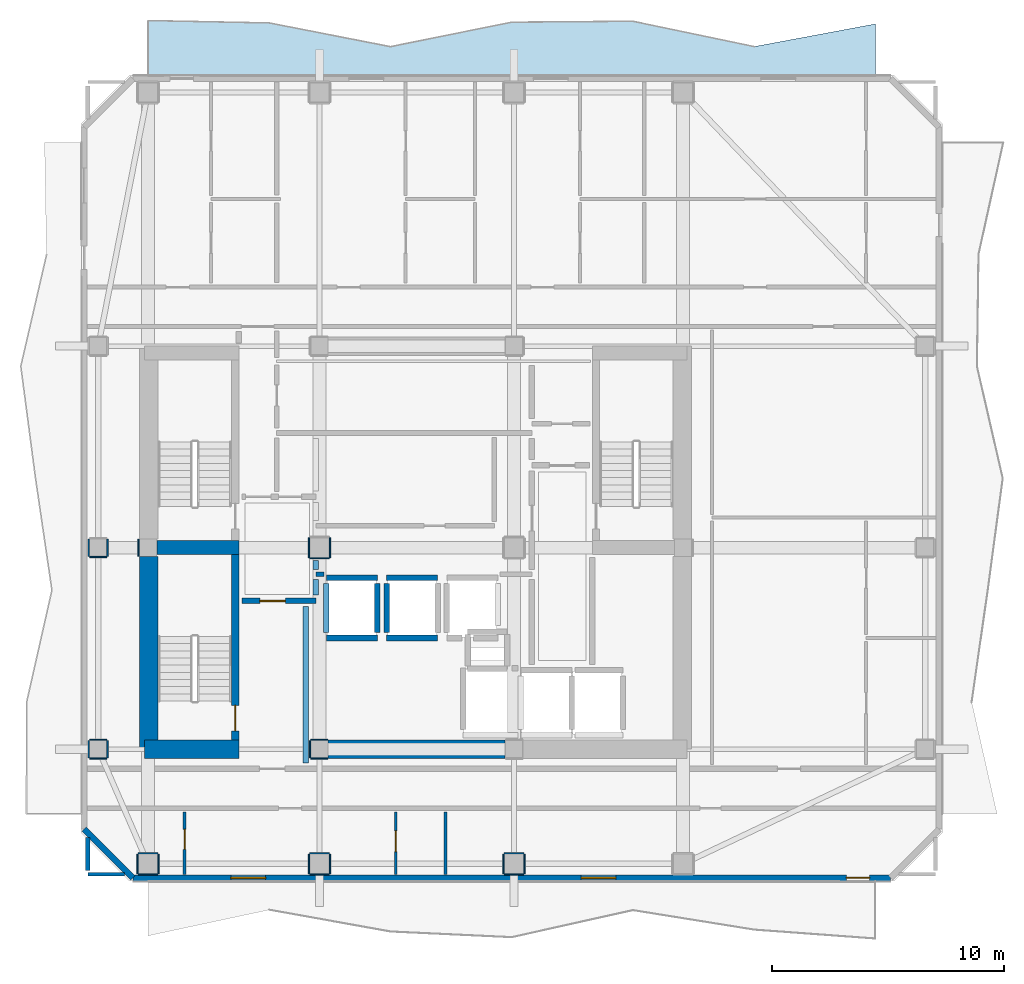
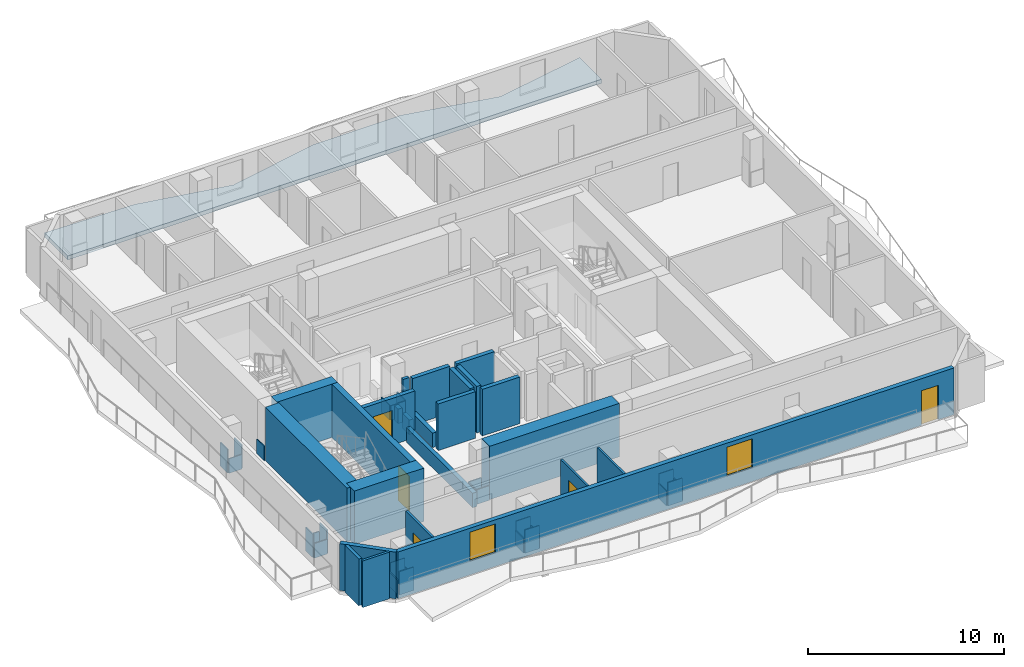
# One storey, part 2 of 9: 50 walls, 5 doors, 2 windows, 1 slab, 7 openings.
"""IFC4 building model written with IfcOpenShell, lengths in metres."""

from ifc_helpers import new_model, si_unit, direction, frame, frame_2d, origin, place, context, subcontext, project, spatial, polyline, rectangle, outline, extrude, material, layer, layer_set, type_object, element, fill, save


model = new_model("IFC4")

# Units and contexts
model_context = context("Model", 3, precision=1e-05, world=origin(), true_north=direction((0.0, 1.0)))
body_context = subcontext(model_context, "Body", "Model", "MODEL_VIEW")
ifc_project = project(units=[si_unit("LENGTHUNIT", "METRE"), si_unit("AREAUNIT", "SQUARE_METRE"), si_unit("VOLUMEUNIT", "CUBIC_METRE"), si_unit("PLANEANGLEUNIT", "RADIAN"), si_unit("MASSUNIT", "GRAM", prefix="KILO")], contexts=[model_context])

# Site, building, storey
site_placement = place(None, origin())
site = spatial("IfcSite", under=ifc_project, at=site_placement, CompositionType="ELEMENT")
building_placement = place(site_placement, origin())
building = spatial("IfcBuilding", under=site, at=building_placement, Name="Solanera Arch Residences", CompositionType="ELEMENT")
storey_placement = place(building_placement, frame((0.0, 0.0, 247.8798828125)))
storey = spatial("IfcBuildingStorey", under=building, at=storey_placement, Name="L72", CompositionType="ELEMENT", Elevation=247.8798828125)

# Slab
ifc_material_1 = material(Name="Concrete C40/50 (f'c = 45 MPa)", Category="concrete")
ifc_layer_1 = layer(ifc_material_1, 0.25)
ifc_layer_set_1 = layer_set([ifc_layer_1], Name="Concrete C40/50 (f'c = 45 MPa)")
slab_type = type_object("IfcSlabType", Name="Balcony Slab 250", PredefinedType="FLOOR", material=ifc_layer_set_1)
slab_placement = place(storey_placement, frame((0.0, 0.0, -0.25)))
element("IfcSlab", 1, at=slab_placement, inside=storey, type_object=slab_type, Name="L72 N Rippling Brise-Soleil Balcony Slab", PredefinedType="FLOOR", context=body_context, shape_type="SweptSolid", body=[
    extrude(outline(polyline([(44.800048828125, 53.31201171875), (39.56689453125, 52.3330078125), (34.3330078125, 53.427001953125), (29.10009765625, 53.386962890625), (23.866943359375, 52.330078125), (18.633056640625, 53.35400390625), (13.39990234375, 53.45703125), (13.39990234375, 51.080078125), (44.800048828125, 51.080078125), (44.800048828125, 53.31201171875)])), origin(), (0.0, 0.0, 1.0), 0.25),
])

# Walls
ifc_material_2 = material(Name="Fire-Rated Gypsum Stud Partition", Category="gypsum")
ifc_layer_2 = layer(ifc_material_2, 0.06005859375)
ifc_layer_set_2 = layer_set([ifc_layer_2], Name="Fire-Rated Gypsum Stud Partition")
wall_type_1 = type_object("IfcWallType", Name="Column Acoustic Furring Wall 60", PredefinedType="PARTITIONING", material=ifc_layer_set_2)
for number, where, z_axis, x_axis, name in (
    (2, (20.425048828125, 21.593017578125, 0.0), (0.0, 0.0, 1.0), (1.0, 0.0, 0.0), "L72 Column Furring 1S"),
    (3, (20.425048828125, 22.406982421875, 0.0), (0.0, 0.0, 1.0), (1.0, 0.0, 0.0), "L72 Column Furring 1N"),
):
    element("IfcWall", number, at=place(storey_placement, frame(where, z_axis=z_axis, x_axis=x_axis)), inside=storey, type_object=wall_type_1, Name=name, PredefinedType="PARTITIONING", context=body_context, shape_type="SweptSolid", body=[
        extrude(rectangle(XDim=0.741943359375, YDim=0.06005859375, at=frame_2d((0.37109375, 0.0))), origin(), (0.0, 0.0, 1.0), 0.905029296875),
    ])
for number, where, z_axis, x_axis, name in (
    (4, (20.39306640625, 21.625, 0.0), (0.0, 0.0, 1.0), (0.0, 1.0, 0.0), "L72 Column Furring 1W"),
    (5, (12.992919921875, 30.324951171875, 0.0), (0.0, 0.0, 1.0), (0.0, 1.0, 0.0), "L72 Column Furring 5W"),
):
    element("IfcWall", number, at=place(storey_placement, frame(where, z_axis=z_axis, x_axis=x_axis)), inside=storey, type_object=wall_type_1, Name=name, PredefinedType="PARTITIONING", context=body_context, shape_type="SweptSolid", body=[
        extrude(rectangle(XDim=0.75, YDim=0.06005859375, at=frame_2d((0.375, 0.0))), origin(), (0.0, 0.0, 1.0), 0.905029296875),
    ])
for number, where, z_axis, x_axis, name in (
    (6, (20.375, 30.242919921875, 0.0), (0.0, 0.0, 1.0), (1.0, 0.0, 0.0), "L72 Column Furring 7S"),
    (7, (20.343017578125, 30.27490234375, 0.0), (0.0, 0.0, 1.0), (0.0, 1.0, 0.0), "L72 Column Furring 7W"),
    (8, (21.257080078125, 30.27490234375, 0.0), (0.0, 0.0, 1.0), (0.0, 1.0, 0.0), "L72 Column Furring 7E"),
):
    element("IfcWall", number, at=place(storey_placement, frame(where, z_axis=z_axis, x_axis=x_axis)), inside=storey, type_object=wall_type_1, Name=name, PredefinedType="PARTITIONING", context=body_context, shape_type="SweptSolid", body=[
        extrude(rectangle(XDim=0.85009765625, YDim=0.06005859375, at=frame_2d((0.425048828125, 0.0))), origin(), (0.0, 0.0, 1.0), 0.905029296875),
    ])
for number, where, z_axis, x_axis, name in (
    (9, (12.97509765625, 16.593017578125, 0.0), (0.0, 0.0, 1.0), (1.0, 0.0, 0.0), "L72 Column Furring 9S"),
    (10, (12.97509765625, 17.507080078125, 0.0), (0.0, 0.0, 1.0), (1.0, 0.0, 0.0), "L72 Column Furring 9N"),
):
    element("IfcWall", number, at=place(storey_placement, frame(where, z_axis=z_axis, x_axis=x_axis)), inside=storey, type_object=wall_type_1, Name=name, PredefinedType="PARTITIONING", context=body_context, shape_type="SweptSolid", body=[
        extrude(rectangle(XDim=0.849853515625, YDim=0.06005859375, at=frame_2d((0.4248046875, 0.0))), origin(), (0.0, 0.0, 1.0), 1.4501953125),
    ])
for number, where, z_axis, x_axis, name in (
    (11, (12.943115234375, 16.625, 0.0), (0.0, 0.0, 1.0), (0.0, 1.0, 0.0), "L72 Column Furring 9W"),
    (12, (13.85693359375, 16.625, 0.0), (0.0, 0.0, 1.0), (0.0, 1.0, 0.0), "L72 Column Furring 9E"),
):
    element("IfcWall", number, at=place(storey_placement, frame(where, z_axis=z_axis, x_axis=x_axis)), inside=storey, type_object=wall_type_1, Name=name, PredefinedType="PARTITIONING", context=body_context, shape_type="SweptSolid", body=[
        extrude(rectangle(XDim=0.85009765625, YDim=0.06005859375, at=frame_2d((0.425048828125, 0.0))), origin(), (0.0, 0.0, 1.0), 0.905029296875),
    ])
for number, where, z_axis, x_axis, name in (
    (13, (20.375, 16.593017578125, 0.0), (0.0, 0.0, 1.0), (1.0, 0.0, 0.0), "L72 Column Furring 11S"),
    (14, (20.375, 17.507080078125, 0.0), (0.0, 0.0, 1.0), (1.0, 0.0, 0.0), "L72 Column Furring 11N"),
):
    element("IfcWall", number, at=place(storey_placement, frame(where, z_axis=z_axis, x_axis=x_axis)), inside=storey, type_object=wall_type_1, Name=name, PredefinedType="PARTITIONING", context=body_context, shape_type="SweptSolid", body=[
        extrude(rectangle(XDim=0.85009765625, YDim=0.06005859375, at=frame_2d((0.425048828125, 0.0))), origin(), (0.0, 0.0, 1.0), 1.4501953125),
    ])
for number, where, z_axis, x_axis, name in (
    (15, (20.343017578125, 16.625, 0.0), (0.0, 0.0, 1.0), (0.0, 1.0, 0.0), "L72 Column Furring 11W"),
    (16, (21.257080078125, 16.625, 0.0), (0.0, 0.0, 1.0), (0.0, 1.0, 0.0), "L72 Column Furring 11E"),
):
    element("IfcWall", number, at=place(storey_placement, frame(where, z_axis=z_axis, x_axis=x_axis)), inside=storey, type_object=wall_type_1, Name=name, PredefinedType="PARTITIONING", context=body_context, shape_type="SweptSolid", body=[
        extrude(rectangle(XDim=0.85009765625, YDim=0.06005859375, at=frame_2d((0.425048828125, 0.0))), origin(), (0.0, 0.0, 1.0), 0.905029296875),
    ])
for number, where, z_axis, x_axis, name in (
    (17, (28.77490234375, 16.593017578125, 0.0), (0.0, 0.0, 1.0), (1.0, 0.0, 0.0), "L72 Column Furring 13S"),
    (18, (28.77490234375, 17.507080078125, 0.0), (0.0, 0.0, 1.0), (1.0, 0.0, 0.0), "L72 Column Furring 13N"),
):
    element("IfcWall", number, at=place(storey_placement, frame(where, z_axis=z_axis, x_axis=x_axis)), inside=storey, type_object=wall_type_1, Name=name, PredefinedType="PARTITIONING", context=body_context, shape_type="SweptSolid", body=[
        extrude(rectangle(XDim=0.85009765625, YDim=0.06005859375, at=frame_2d((0.425048828125, 0.0))), origin(), (0.0, 0.0, 1.0), 1.4501953125),
    ])
for number, where, z_axis, x_axis, name in (
    (19, (28.742919921875, 16.625, 0.0), (0.0, 0.0, 1.0), (0.0, 1.0, 0.0), "L72 Column Furring 13W"),
    (20, (29.656982421875, 16.625, 0.0), (0.0, 0.0, 1.0), (0.0, 1.0, 0.0), "L72 Column Furring 13E"),
):
    element("IfcWall", number, at=place(storey_placement, frame(where, z_axis=z_axis, x_axis=x_axis)), inside=storey, type_object=wall_type_1, Name=name, PredefinedType="PARTITIONING", context=body_context, shape_type="SweptSolid", body=[
        extrude(rectangle(XDim=0.85009765625, YDim=0.06005859375, at=frame_2d((0.425048828125, 0.0))), origin(), (0.0, 0.0, 1.0), 0.905029296875),
    ])
for number, where, z_axis, x_axis, name in (
    (21, (10.875, 21.593017578125, 0.0), (0.0, 0.0, 1.0), (1.0, 0.0, 0.0), "L72 Column Furring 17S"),
    (22, (10.875, 22.406982421875, 0.0), (0.0, 0.0, 1.0), (1.0, 0.0, 0.0), "L72 Column Furring 17N"),
):
    element("IfcWall", number, at=place(storey_placement, frame(where, z_axis=z_axis, x_axis=x_axis)), inside=storey, type_object=wall_type_1, Name=name, PredefinedType="PARTITIONING", context=body_context, shape_type="SweptSolid", body=[
        extrude(rectangle(XDim=0.75, YDim=0.06005859375, at=frame_2d((0.375, 0.0))), origin(), (0.0, 0.0, 1.0), 0.905029296875),
    ])
for number, where, z_axis, x_axis, name in (
    (23, (10.843017578125, 21.625, 0.0), (0.0, 0.0, 1.0), (0.0, 1.0, 0.0), "L72 Column Furring 17W"),
    (24, (11.656982421875, 21.625, 0.0), (0.0, 0.0, 1.0), (0.0, 1.0, 0.0), "L72 Column Furring 17E"),
):
    element("IfcWall", number, at=place(storey_placement, frame(where, z_axis=z_axis, x_axis=x_axis)), inside=storey, type_object=wall_type_1, Name=name, PredefinedType="PARTITIONING", context=body_context, shape_type="SweptSolid", body=[
        extrude(rectangle(XDim=0.75, YDim=0.06005859375, at=frame_2d((0.375, 0.0))), origin(), (0.0, 0.0, 1.0), 1.4501953125),
    ])
wall_1_placement = place(storey_placement, frame((10.875, 30.29296875, 0.0), z_axis=(0.0, 0.0, 1.0), x_axis=(1.0, 0.0, 0.0)))
element("IfcWall", 25, at=wall_1_placement, inside=storey, type_object=wall_type_1, Name="L72 Column Furring 19S", PredefinedType="PARTITIONING", context=body_context, shape_type="SweptSolid", body=[
    extrude(rectangle(XDim=0.75, YDim=0.06005859375, at=frame_2d((0.375, 0.0))), origin(), (0.0, 0.0, 1.0), 0.905029296875),
])
for number, where, z_axis, x_axis, name in (
    (26, (10.843017578125, 30.324951171875, 0.0), (0.0, 0.0, 1.0), (0.0, 1.0, 0.0), "L72 Column Furring 19W"),
    (27, (11.656982421875, 30.324951171875, 0.0), (0.0, 0.0, 1.0), (0.0, 1.0, 0.0), "L72 Column Furring 19E"),
):
    element("IfcWall", number, at=place(storey_placement, frame(where, z_axis=z_axis, x_axis=x_axis)), inside=storey, type_object=wall_type_1, Name=name, PredefinedType="PARTITIONING", context=body_context, shape_type="SweptSolid", body=[
        extrude(rectangle(XDim=0.75, YDim=0.06005859375, at=frame_2d((0.375, 0.0))), origin(), (0.0, 0.0, 1.0), 1.4501953125),
    ])

# Wall, opening, door
ifc_material_3 = material(Name="Concrete C40/50 (f'c = 45 MPa)", Category="concrete")
ifc_layer_3 = layer(ifc_material_3, 0.320068359375)
ifc_layer_set_3 = layer_set([ifc_layer_3], Name="Concrete C40/50 (f'c = 45 MPa)")
wall_type_2 = type_object("IfcWallType", Name="Core Shear Wall CW-320", PredefinedType="SHEAR", material=ifc_layer_set_3)
wall_2_placement = place(storey_placement, frame((17.159912109375, 22.39990234375, 0.0), z_axis=(0.0, 0.0, 1.0), x_axis=(0.0, 1.0, 0.0)))
wall_2 = element("IfcWall", 28, at=wall_2_placement, inside=storey, type_object=wall_type_2, Name="L72 Stair ST-T3 East Shear Wall", PredefinedType="SHEAR", context=body_context, shape_type="SweptSolid", body=[
    extrude(rectangle(XDim=8.0, YDim=0.320068359375, at=frame_2d((4.0, 0.0))), origin(), (0.0, 0.0, 1.0), 3.320068359375),
])
opening_1_placement = place(wall_2_placement, frame((0.389892578125, 0.0, 0.0)))
opening_1 = element("IfcOpeningElement", 29, at=opening_1_placement, cuts=wall_2, Name="Opening DF-01", PredefinedType="OPENING", context=body_context, shape_type="SweptSolid", body=[
    extrude(rectangle(XDim=1.10009765625, YDim=2.14990234375, at=frame_2d((0.550048828125, 1.074951171875))), frame((0.0, 0.169921875, 0.0), z_axis=(0.0, -1.0, 0.0), x_axis=(1.0, 0.0, 0.0)), (0.0, 0.0, 1.0), 0.3401),
])
ifc_material_4 = material(Name="Fire-Rated Architectural Hardwood", Category="wood")
door_type_1 = type_object("IfcDoorType", Name="Stair Exit Fire Door DF-01", OperationType="NOTDEFINED", PredefinedType="DOOR", material=ifc_material_4)
door_1_placement = place(opening_1_placement, origin())
door_1 = element("IfcDoor", 30, at=door_1_placement, inside=storey, type_object=door_type_1, Name="DR-L72-STAIR-ST-T3", OperationType="SINGLE_SWING_LEFT", OverallHeight=2.14990234375, OverallWidth=1.10009765625, PredefinedType="DOOR", context=body_context, shape_type="SweptSolid", body=[
    extrude(rectangle(XDim=1.10009765625, YDim=2.14990234375, at=frame_2d((0.550048828125, 1.074951171875))), frame((0.0, 0.02490234375, 0.0), z_axis=(0.0, -1.0, 0.0), x_axis=(1.0, 0.0, 0.0)), (0.0, 0.0, 1.0), 0.050048828125),
])
fill(opening_1, door_1)

# Walls
ifc_material_5 = material(Name="Concrete C40/50 (f'c = 45 MPa)", Category="concrete")
ifc_layer_4 = layer(ifc_material_5, 0.60009765625)
ifc_layer_set_4 = layer_set([ifc_layer_4], Name="Concrete C40/50 (f'c = 45 MPa)")
wall_type_3 = type_object("IfcWallType", Name="Core Shear Wall CW-600", PredefinedType="SHEAR", material=ifc_layer_set_4)
wall_3_placement = place(storey_placement, frame((13.780029296875, 30.699951171875, 0.0), z_axis=(0.0, 0.0, 1.0), x_axis=(1.0, 0.0, 0.0)))
element("IfcWall", 31, at=wall_3_placement, inside=storey, type_object=wall_type_3, Name="L72 West Stair Divider Shear Wall", PredefinedType="SHEAR", context=body_context, shape_type="SweptSolid", body=[
    extrude(rectangle(XDim=3.5400390625, YDim=0.60009765625, at=frame_2d((1.77001953125, 0.0))), origin(), (0.0, 0.0, 1.0), 3.320068359375),
])
ifc_material_6 = material(Name="Concrete C40/50 (f'c = 45 MPa)", Category="concrete")
ifc_layer_5 = layer(ifc_material_6, 0.800048828125)
ifc_layer_set_5 = layer_set([ifc_layer_5], Name="Concrete C40/50 (f'c = 45 MPa)")
wall_type_4 = type_object("IfcWallType", Name="Core Shear Wall CW-800", PredefinedType="SHEAR", material=ifc_layer_set_5)
wall_4_placement = place(storey_placement, frame((13.43994140625, 22.0, 0.0), z_axis=(0.0, 0.0, 1.0), x_axis=(0.0, 1.0, 0.0)))
element("IfcWall", 32, at=wall_4_placement, inside=storey, type_object=wall_type_4, Name="L72 West Core South Shear Wall", PredefinedType="SHEAR", context=body_context, shape_type="SweptSolid", body=[
    extrude(rectangle(XDim=8.320068359375, YDim=0.800048828125, at=frame_2d((4.16015625, 0.0))), origin(), (0.0, 0.0, 1.0), 3.320068359375),
])
wall_5_placement = place(storey_placement, frame((13.239990234375, 22.0, 0.0), z_axis=(0.0, 0.0, 1.0), x_axis=(1.0, 0.0, 0.0)))
element("IfcWall", 33, at=wall_5_placement, inside=storey, type_object=wall_type_4, Name="L72 South-West Core Shear Wall", PredefinedType="SHEAR", context=body_context, shape_type="SweptSolid", body=[
    extrude(rectangle(XDim=4.080078125, YDim=0.800048828125, at=frame_2d((2.0400390625, 0.0))), origin(), (0.0, 0.0, 1.0), 3.320068359375),
])
wall_6_placement = place(storey_placement, frame((21.179931640625, 22.0, 0.0), z_axis=(0.0, 0.0, 1.0), x_axis=(1.0, 0.0, 0.0)))
element("IfcWall", 34, at=wall_6_placement, inside=storey, type_object=wall_type_4, Name="L72 Central South Core Shear Wall", PredefinedType="SHEAR", context=body_context, shape_type="SweptSolid", body=[
    extrude(rectangle(XDim=7.64013671875, YDim=0.800048828125, at=frame_2d((3.820068359375, 0.0))), origin(), (0.0, 0.0, 1.0), 3.320068359375),
])
ifc_material_7 = material(Name="Autoclaved Aerated Concrete Blockwork", Category="masonry")
ifc_layer_6 = layer(ifc_material_7, 0.179931640625)
ifc_layer_set_6 = layer_set([ifc_layer_6], Name="Autoclaved Aerated Concrete Blockwork")
wall_type_5 = type_object("IfcWallType", Name="Corridor Fire Partition 180", PredefinedType="PARTITIONING", material=ifc_layer_set_6)
wall_7_placement = place(storey_placement, frame((20.64990234375, 29.550048828125, 0.0), z_axis=(0.0, 0.0, 1.0), x_axis=(1.0, 0.0, 0.0)))
element("IfcWall", 35, at=wall_7_placement, inside=storey, type_object=wall_type_5, Name="L72 Interior Partition H8 1", PredefinedType="PARTITIONING", context=body_context, shape_type="SweptSolid", body=[
    extrude(rectangle(XDim=0.357177734375, YDim=0.179931640625, at=frame_2d((0.1787109375, 0.0))), origin(), (0.0, 0.0, 1.0), 2.900146484375),
])
wall_8_placement = place(storey_placement, frame((10.800048828125, 16.76806640625, 0.0), z_axis=(0.0, 0.0, 1.0), x_axis=(0.0, 1.0, 0.0)))
element("IfcWall", 36, at=wall_8_placement, inside=storey, type_object=wall_type_5, Name="L72 Interior Partition V8", PredefinedType="PARTITIONING", context=body_context, shape_type="SweptSolid", body=[
    extrude(rectangle(XDim=1.4208984375, YDim=0.179931640625, at=frame_2d((0.71044921875, 0.0))), origin(), (0.0, 0.0, 1.0), 2.900146484375),
])

# Wall, openings, door, windows
ifc_material_8 = material(Name="Precast Concrete C35/45", Category="concrete")
ifc_layer_7 = layer(ifc_material_8, 0.260009765625)
ifc_layer_set_7 = layer_set([ifc_layer_7], Name="Precast Concrete C35/45")
wall_type_6 = type_object("IfcWallType", Name="Exterior Wall Precast Masonry-Frame 260", PredefinedType="STANDARD", material=ifc_layer_set_7)
wall_9_placement = place(storey_placement, frame((45.455078125, 16.445068359375, 0.0), z_axis=(0.0, 0.0, 1.0), x_axis=(-1.0, 0.0, 0.0)))
wall_9 = element("IfcWall", 37, at=wall_9_placement, inside=storey, type_object=wall_type_6, Name="L72 Tower Exterior Precast Masonry-Frame Wall S", PredefinedType="STANDARD", context=body_context, shape_type="SweptSolid", body=[
    extrude(rectangle(XDim=32.7099609375, YDim=0.260009765625, at=frame_2d((16.35498046875, 0.0))), origin(), (0.0, 0.0, 1.0), 2.900146484375),
])
opening_2_placement = place(wall_9_placement, frame((0.906982421875, 0.0, 0.0)))
opening_2 = element("IfcOpeningElement", 38, at=opening_2_placement, cuts=wall_9, Name="Opening DB-01", PredefinedType="OPENING", context=body_context, shape_type="SweptSolid", body=[
    extrude(rectangle(XDim=1.0, YDim=2.14990234375, at=frame_2d((0.5, 1.074951171875))), frame((0.0, 0.139892578125, 0.0), z_axis=(0.0, -1.0, 0.0), x_axis=(1.0, 0.0, 0.0)), (0.0, 0.0, 1.0), 0.28),
])
opening_3_placement = place(wall_9_placement, frame((26.97705078125, 0.0, 0.85009765625)))
opening_3 = element("IfcOpeningElement", 39, at=opening_3_placement, cuts=wall_9, Name="Opening W-02", PredefinedType="OPENING", context=body_context, shape_type="SweptSolid", body=[
    extrude(rectangle(XDim=1.5, YDim=1.800048828125, at=frame_2d((0.75, 0.89990234375))), frame((0.0, 0.139892578125, 0.0), z_axis=(0.0, -1.0, 0.0), x_axis=(1.0, 0.0, 0.0)), (0.0, 0.0, 1.0), 0.28),
])
opening_4_placement = place(wall_9_placement, frame((11.85498046875, 0.0, 0.85009765625)))
opening_4 = element("IfcOpeningElement", 40, at=opening_4_placement, cuts=wall_9, Name="Opening W-02", PredefinedType="OPENING", context=body_context, shape_type="SweptSolid", body=[
    extrude(rectangle(XDim=1.5, YDim=1.800048828125, at=frame_2d((0.75, 0.89990234375))), frame((0.0, 0.139892578125, 0.0), z_axis=(0.0, -1.0, 0.0), x_axis=(1.0, 0.0, 0.0)), (0.0, 0.0, 1.0), 0.28),
])
ifc_material_9 = material(Name="Anodised Aluminium Alloy 6063-T6", Category="aluminium")
door_type_2 = type_object("IfcDoorType", Name="Glazed Balcony Swing Door DB-01", OperationType="NOTDEFINED", PredefinedType="DOOR", material=ifc_material_9)
door_2_placement = place(opening_2_placement, origin())
door_2 = element("IfcDoor", 41, at=door_2_placement, inside=storey, type_object=door_type_2, Name="DR-L72-OUT-01", OperationType="SINGLE_SWING_RIGHT", OverallHeight=2.14990234375, OverallWidth=1.0, PredefinedType="DOOR", context=body_context, shape_type="SweptSolid", body=[
    extrude(rectangle(XDim=1.0, YDim=2.14990234375, at=frame_2d((0.5, 1.074951171875))), frame((0.0, 0.02490234375, 0.0), z_axis=(0.0, -1.0, 0.0), x_axis=(1.0, 0.0, 0.0)), (0.0, 0.0, 1.0), 0.050048828125),
])
fill(opening_2, door_2)
ifc_material_10 = material(Name="Double Glazed Low-E Laminated Glass", Category="glass")
window_type = type_object("IfcWindowType", Name="Punched Window W-02", PartitioningType="DOUBLE_PANEL_VERTICAL", PredefinedType="WINDOW", material=ifc_material_10)
window_1_placement = place(opening_3_placement, origin())
window_1 = element("IfcWindow", 42, at=window_1_placement, inside=storey, type_object=window_type, Name="L72 7201-LIV Punched Window", OverallHeight=1.800048828125, OverallWidth=1.5, PartitioningType="SINGLE_PANEL", PredefinedType="WINDOW", context=body_context, shape_type="SweptSolid", body=[
    extrude(rectangle(XDim=1.5, YDim=1.800048828125, at=frame_2d((0.75, 0.89990234375))), frame((0.0, 0.030029296875, 0.0), z_axis=(0.0, -1.0, 0.0), x_axis=(1.0, 0.0, 0.0)), (0.0, 0.0, 1.0), 0.06005859375),
])
fill(opening_3, window_1)
window_2_placement = place(opening_4_placement, origin())
window_2 = element("IfcWindow", 43, at=window_2_placement, inside=storey, type_object=window_type, Name="L72 AMN-LNG Punched Window", OverallHeight=1.800048828125, OverallWidth=1.5, PartitioningType="SINGLE_PANEL", PredefinedType="WINDOW", context=body_context, shape_type="SweptSolid", body=[
    extrude(rectangle(XDim=1.5, YDim=1.800048828125, at=frame_2d((0.75, 0.89990234375))), frame((0.0, 0.030029296875, 0.0), z_axis=(0.0, -1.0, 0.0), x_axis=(1.0, 0.0, 0.0)), (0.0, 0.0, 1.0), 0.06005859375),
])
fill(opening_4, window_2)

# Walls
wall_10_placement = place(storey_placement, frame((12.7451171875, 16.445068359375, 0.0), z_axis=(0.0, 0.0, 1.0), x_axis=(-0.707147883682, 0.707065676302, 0.0)))
element("IfcWall", 44, at=wall_10_placement, inside=storey, type_object=wall_type_6, Name="L72 Tower Exterior Precast Masonry-Frame Wall CH7", PredefinedType="STANDARD", context=body_context, shape_type="SweptSolid", body=[
    extrude(rectangle(XDim=2.9697265625, YDim=0.260009765625, at=frame_2d((1.48486328125, 0.0))), origin(), (0.0, 0.0, 1.0), 2.900146484375),
])
ifc_material_11 = material(Name="Autoclaved Aerated Concrete Blockwork", Category="masonry")
ifc_layer_8 = layer(ifc_material_11, 0.239990234375)
ifc_layer_set_8 = layer_set([ifc_layer_8], Name="Autoclaved Aerated Concrete Blockwork")
wall_type_7 = type_object("IfcWallType", Name="Shaft Wall Fire-Rated 240", PredefinedType="PARTITIONING", material=ifc_layer_set_8)
for number, where, z_axis, x_axis, name in (
    (45, (21.10009765625, 26.800048828125, 0.0), (0.0, 0.0, 1.0), (1.0, 0.0, 0.0), "L72 Lift PL-H1 Hoistway Wall S"),
    (46, (21.10009765625, 29.39990234375, 0.0), (0.0, 0.0, 1.0), (1.0, 0.0, 0.0), "L72 Lift PL-H1 Hoistway Wall N"),
):
    element("IfcWall", number, at=place(storey_placement, frame(where, z_axis=z_axis, x_axis=x_axis)), inside=storey, type_object=wall_type_7, Name=name, PredefinedType="PARTITIONING", context=body_context, shape_type="SweptSolid", body=[
        extrude(rectangle(XDim=2.199951171875, YDim=0.239990234375, at=frame_2d((1.10009765625, 0.0))), origin(), (0.0, 0.0, 1.0), 2.900146484375),
    ])
wall_11_placement = place(storey_placement, frame((21.10009765625, 27.048095703125, 0.0), z_axis=(0.0, 0.0, 1.0), x_axis=(0.0, 1.0, 0.0)))
element("IfcWall", 47, at=wall_11_placement, inside=storey, type_object=wall_type_7, Name="L72 Lift PL-H1 Hoistway Wall W", PredefinedType="PARTITIONING", context=body_context, shape_type="SweptSolid", body=[
    extrude(rectangle(XDim=2.10400390625, YDim=0.239990234375, at=frame_2d((1.052001953125, 0.0))), origin(), (0.0, 0.0, 1.0), 0.905029296875),
])
wall_12_placement = place(storey_placement, frame((23.300048828125, 27.048095703125, 0.0), z_axis=(0.0, 0.0, 1.0), x_axis=(0.0, 1.0, 0.0)))
element("IfcWall", 48, at=wall_12_placement, inside=storey, type_object=wall_type_7, Name="L72 Lift PL-H1 Hoistway Wall E", PredefinedType="PARTITIONING", context=body_context, shape_type="SweptSolid", body=[
    extrude(rectangle(XDim=2.10400390625, YDim=0.239990234375, at=frame_2d((1.052001953125, 0.0))), origin(), (0.0, 0.0, 1.0), 2.900146484375),
])
for number, where, z_axis, x_axis, name in (
    (49, (23.699951171875, 26.800048828125, 0.0), (0.0, 0.0, 1.0), (1.0, 0.0, 0.0), "L72 Lift PL-H2 Hoistway Wall S"),
    (50, (23.699951171875, 29.39990234375, 0.0), (0.0, 0.0, 1.0), (1.0, 0.0, 0.0), "L72 Lift PL-H2 Hoistway Wall N"),
):
    element("IfcWall", number, at=place(storey_placement, frame(where, z_axis=z_axis, x_axis=x_axis)), inside=storey, type_object=wall_type_7, Name=name, PredefinedType="PARTITIONING", context=body_context, shape_type="SweptSolid", body=[
        extrude(rectangle(XDim=2.199951171875, YDim=0.239990234375, at=frame_2d((1.10009765625, 0.0))), origin(), (0.0, 0.0, 1.0), 2.900146484375),
    ])
wall_13_placement = place(storey_placement, frame((23.699951171875, 27.048095703125, 0.0), z_axis=(0.0, 0.0, 1.0), x_axis=(0.0, 1.0, 0.0)))
element("IfcWall", 51, at=wall_13_placement, inside=storey, type_object=wall_type_7, Name="L72 Lift PL-H2 Hoistway Wall W", PredefinedType="PARTITIONING", context=body_context, shape_type="SweptSolid", body=[
    extrude(rectangle(XDim=2.10400390625, YDim=0.239990234375, at=frame_2d((1.052001953125, 0.0))), origin(), (0.0, 0.0, 1.0), 2.900146484375),
])

# Wall, opening, door
wall_14_placement = place(storey_placement, frame((17.449951171875, 28.39990234375, 0.0), z_axis=(0.0, 0.0, 1.0), x_axis=(1.0, 0.0, 0.0)))
wall_14 = element("IfcWall", 52, at=wall_14_placement, inside=storey, type_object=wall_type_7, Name="L72 Interior Partition H3", PredefinedType="PARTITIONING", context=body_context, shape_type="SweptSolid", body=[
    extrude(rectangle(XDim=3.199951171875, YDim=0.239990234375, at=frame_2d((1.60009765625, 0.0))), origin(), (0.0, 0.0, 1.0), 2.900146484375),
])
opening_5_placement = place(wall_14_placement, frame((0.783935546875, 0.0, 0.0)))
opening_5 = element("IfcOpeningElement", 53, at=opening_5_placement, cuts=wall_14, Name="Opening DF-02", PredefinedType="OPENING", context=body_context, shape_type="SweptSolid", body=[
    extrude(rectangle(XDim=1.10009765625, YDim=2.14990234375, at=frame_2d((0.550048828125, 1.074951171875))), frame((0.0, 0.1298828125, 0.0), z_axis=(0.0, -1.0, 0.0), x_axis=(1.0, 0.0, 0.0)), (0.0, 0.0, 1.0), 0.26),
])
ifc_material_12 = material(Name="Fire-Rated Architectural Hardwood", Category="wood")
door_type_3 = type_object("IfcDoorType", Name="Firefighting Lobby Fire Door DF-02", OperationType="NOTDEFINED", PredefinedType="DOOR", material=ifc_material_12)
door_3_placement = place(opening_5_placement, origin())
door_3 = element("IfcDoor", 54, at=door_3_placement, inside=storey, type_object=door_type_3, Name="DR-L72-IN-004", OperationType="SINGLE_SWING_RIGHT", OverallHeight=2.14990234375, OverallWidth=1.10009765625, PredefinedType="DOOR", context=body_context, shape_type="SweptSolid", body=[
    extrude(rectangle(XDim=1.10009765625, YDim=2.14990234375, at=frame_2d((0.550048828125, 1.074951171875))), frame((0.0, 0.02490234375, 0.0), z_axis=(0.0, -1.0, 0.0), x_axis=(1.0, 0.0, 0.0)), (0.0, 0.0, 1.0), 0.050048828125),
])
fill(opening_5, door_3)

# Walls
wall_15_placement = place(storey_placement, frame((20.199951171875, 21.39794921875, 0.0), z_axis=(0.0, 0.0, 1.0), x_axis=(0.0, 1.0, 0.0)))
element("IfcWall", 55, at=wall_15_placement, inside=storey, type_object=wall_type_7, Name="L72 Interior Partition V2", PredefinedType="PARTITIONING", context=body_context, shape_type="SweptSolid", body=[
    extrude(rectangle(XDim=6.754150390625, YDim=0.239990234375, at=frame_2d((3.376953125, 0.0))), origin(), (0.0, 0.0, 1.0), 0.905029296875),
])
wall_16_placement = place(storey_placement, frame((20.64990234375, 28.64794921875, 0.0), z_axis=(0.0, 0.0, 1.0), x_axis=(0.0, 1.0, 0.0)))
element("IfcWall", 56, at=wall_16_placement, inside=storey, type_object=wall_type_7, Name="L72 Interior Partition V3 1", PredefinedType="PARTITIONING", context=body_context, shape_type="SweptSolid", body=[
    extrude(rectangle(XDim=0.68408203125, YDim=0.239990234375, at=frame_2d((0.342041015625, 0.0))), origin(), (0.0, 0.0, 1.0), 0.905029296875),
])
wall_17_placement = place(storey_placement, frame((20.64990234375, 29.76806640625, 0.0), z_axis=(0.0, 0.0, 1.0), x_axis=(0.0, 1.0, 0.0)))
element("IfcWall", 57, at=wall_17_placement, inside=storey, type_object=wall_type_7, Name="L72 Interior Partition V3 2", PredefinedType="PARTITIONING", context=body_context, shape_type="SweptSolid", body=[
    extrude(rectangle(XDim=0.375, YDim=0.239990234375, at=frame_2d((0.1875, 0.0))), origin(), (0.0, 0.0, 1.0), 0.905029296875),
])

# Wall, opening, door
ifc_material_13 = material(Name="Fire-Rated Gypsum Stud Partition", Category="gypsum")
ifc_layer_9 = layer(ifc_material_13, 0.1201171875)
ifc_layer_set_9 = layer_set([ifc_layer_9], Name="Fire-Rated Gypsum Stud Partition")
wall_type_8 = type_object("IfcWallType", Name="Unit Drywall Partition 120", PredefinedType="PARTITIONING", material=ifc_layer_set_9)
wall_18_placement = place(storey_placement, frame((24.091064453125, 16.5869140625, 0.0), z_axis=(0.0, 0.0, 1.0), x_axis=(0.0, 1.0, 0.0)))
wall_18 = element("IfcWall", 58, at=wall_18_placement, inside=storey, type_object=wall_type_8, Name="L72 Interior Partition V20", PredefinedType="PARTITIONING", context=body_context, shape_type="SweptSolid", body=[
    extrude(rectangle(XDim=2.705078125, YDim=0.1201171875, at=frame_2d((1.3525390625, 0.0))), origin(), (0.0, 0.0, 1.0), 2.900146484375),
])
opening_6_placement = place(wall_18_placement, frame((0.988037109375, 0.0, 0.0)))
opening_6 = element("IfcOpeningElement", 59, at=opening_6_placement, cuts=wall_18, Name="Opening DI-02", PredefinedType="OPENING", context=body_context, shape_type="SweptSolid", body=[
    extrude(rectangle(XDim=0.89990234375, YDim=2.10009765625, at=frame_2d((0.449951171875, 1.050048828125))), frame((0.0, 0.070068359375, 0.0), z_axis=(0.0, -1.0, 0.0), x_axis=(1.0, 0.0, 0.0)), (0.0, 0.0, 1.0), 0.1401),
])
ifc_material_14 = material(Name="Fire-Rated Architectural Hardwood", Category="wood")
door_type_4 = type_object("IfcDoorType", Name="Suite Room Swing Door DI-02", OperationType="NOTDEFINED", PredefinedType="DOOR", material=ifc_material_14)
door_4_placement = place(opening_6_placement, origin())
door_4 = element("IfcDoor", 60, at=door_4_placement, inside=storey, type_object=door_type_4, Name="DR-L72-IN-016", OperationType="SINGLE_SWING_RIGHT", OverallHeight=2.10009765625, OverallWidth=0.89990234375, PredefinedType="DOOR", context=body_context, shape_type="SweptSolid", body=[
    extrude(rectangle(XDim=0.89990234375, YDim=2.10009765625, at=frame_2d((0.449951171875, 1.050048828125))), frame((0.0, 0.02490234375, 0.0), z_axis=(0.0, -1.0, 0.0), x_axis=(1.0, 0.0, 0.0)), (0.0, 0.0, 1.0), 0.050048828125),
])
fill(opening_6, door_4)

# Walls
wall_19_placement = place(storey_placement, frame((26.240966796875, 16.5869140625, 0.0), z_axis=(0.0, 0.0, 1.0), x_axis=(0.0, 1.0, 0.0)))
element("IfcWall", 61, at=wall_19_placement, inside=storey, type_object=wall_type_8, Name="L72 Interior Partition V21", PredefinedType="PARTITIONING", context=body_context, shape_type="SweptSolid", body=[
    extrude(rectangle(XDim=2.705078125, YDim=0.1201171875, at=frame_2d((1.3525390625, 0.0))), origin(), (0.0, 0.0, 1.0), 2.900146484375),
])
ifc_material_15 = material(Name="Autoclaved Aerated Concrete Blockwork", Category="masonry")
ifc_layer_10 = layer(ifc_material_15, 0.139892578125)
ifc_layer_set_10 = layer_set([ifc_layer_10], Name="Autoclaved Aerated Concrete Blockwork")
wall_type_9 = type_object("IfcWallType", Name="Wet-Room Partition 140", PredefinedType="PARTITIONING", material=ifc_layer_set_10)
wall_20_placement = place(storey_placement, frame((10.800048828125, 16.60009765625, 0.0), z_axis=(0.0, 0.0, 1.0), x_axis=(1.0, 0.0, 0.0)))
element("IfcWall", 62, at=wall_20_placement, inside=storey, type_object=wall_type_9, Name="L72 Interior Partition H13 1", PredefinedType="PARTITIONING", context=body_context, shape_type="SweptSolid", body=[
    extrude(rectangle(XDim=1.5888671875, YDim=0.139892578125, at=frame_2d((0.79443359375, 0.0))), origin(), (0.0, 0.0, 1.0), 2.900146484375),
])

# Wall, opening, door
wall_21_placement = place(storey_placement, frame((14.97998046875, 16.5869140625, 0.0), z_axis=(0.0, 0.0, 1.0), x_axis=(0.0, 1.0, 0.0)))
wall_21 = element("IfcWall", 63, at=wall_21_placement, inside=storey, type_object=wall_type_9, Name="L72 Interior Partition V12", PredefinedType="PARTITIONING", context=body_context, shape_type="SweptSolid", body=[
    extrude(rectangle(XDim=2.695068359375, YDim=0.139892578125, at=frame_2d((1.34765625, 0.0))), origin(), (0.0, 0.0, 1.0), 2.900146484375),
])
opening_7_placement = place(wall_21_placement, frame((1.087890625, 0.0, 0.0)))
opening_7 = element("IfcOpeningElement", 64, at=opening_7_placement, cuts=wall_21, Name="Opening DI-05", PredefinedType="OPENING", context=body_context, shape_type="SweptSolid", body=[
    extrude(rectangle(XDim=0.860107421875, YDim=2.02001953125, at=frame_2d((0.43017578125, 1.010009765625))), frame((0.0, 0.079833984375, 0.0), z_axis=(0.0, -1.0, 0.0), x_axis=(1.0, 0.0, 0.0)), (0.0, 0.0, 1.0), 0.1599),
])
ifc_material_16 = material(Name="Fire-Rated Architectural Hardwood", Category="wood")
door_type_5 = type_object("IfcDoorType", Name="Bathroom Swing Door DI-05", OperationType="NOTDEFINED", PredefinedType="DOOR", material=ifc_material_16)
door_5_placement = place(opening_7_placement, origin())
door_5 = element("IfcDoor", 65, at=door_5_placement, inside=storey, type_object=door_type_5, Name="DR-L72-IN-015", OperationType="SINGLE_SWING_LEFT", OverallHeight=2.02001953125, OverallWidth=0.860107421875, PredefinedType="DOOR", context=body_context, shape_type="SweptSolid", body=[
    extrude(rectangle(XDim=0.860107421875, YDim=2.02001953125, at=frame_2d((0.43017578125, 1.010009765625))), frame((0.0, 0.02490234375, 0.0), z_axis=(0.0, -1.0, 0.0), x_axis=(1.0, 0.0, 0.0)), (0.0, 0.0, 1.0), 0.050048828125),
])
fill(opening_7, door_5)

save(model, "model.ifc")
